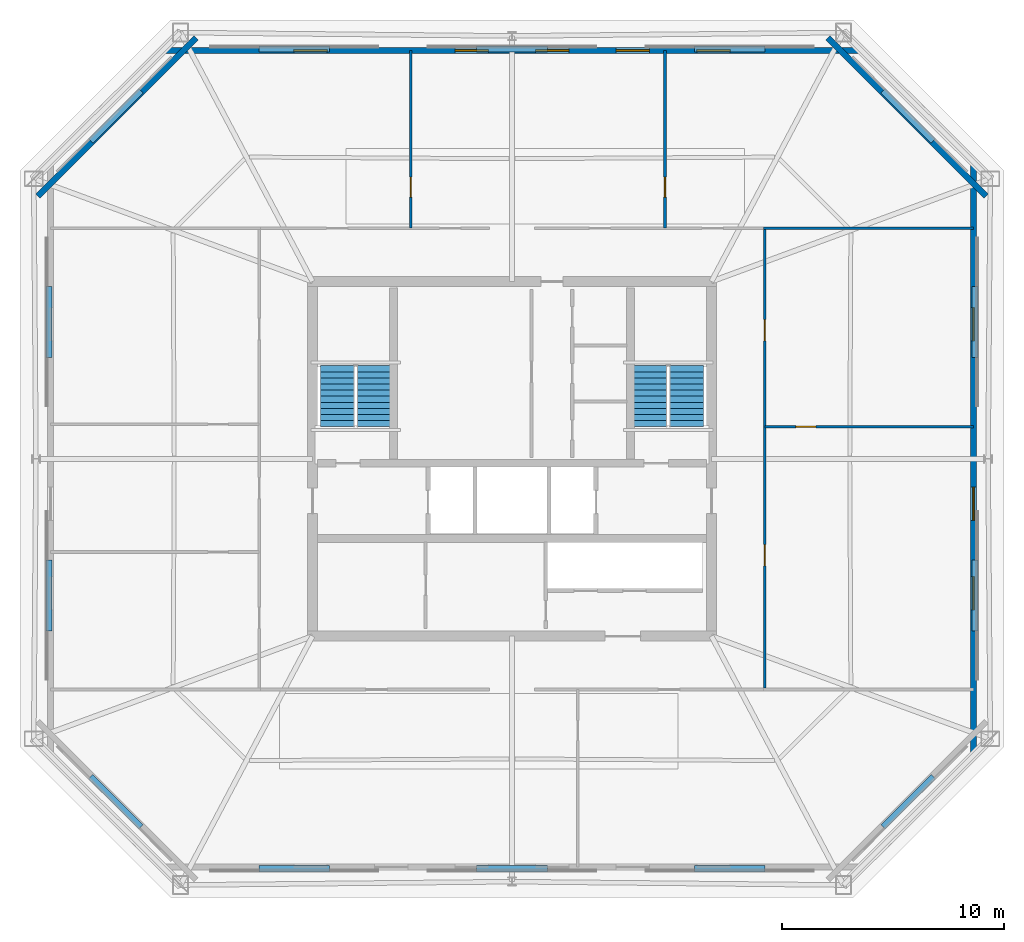
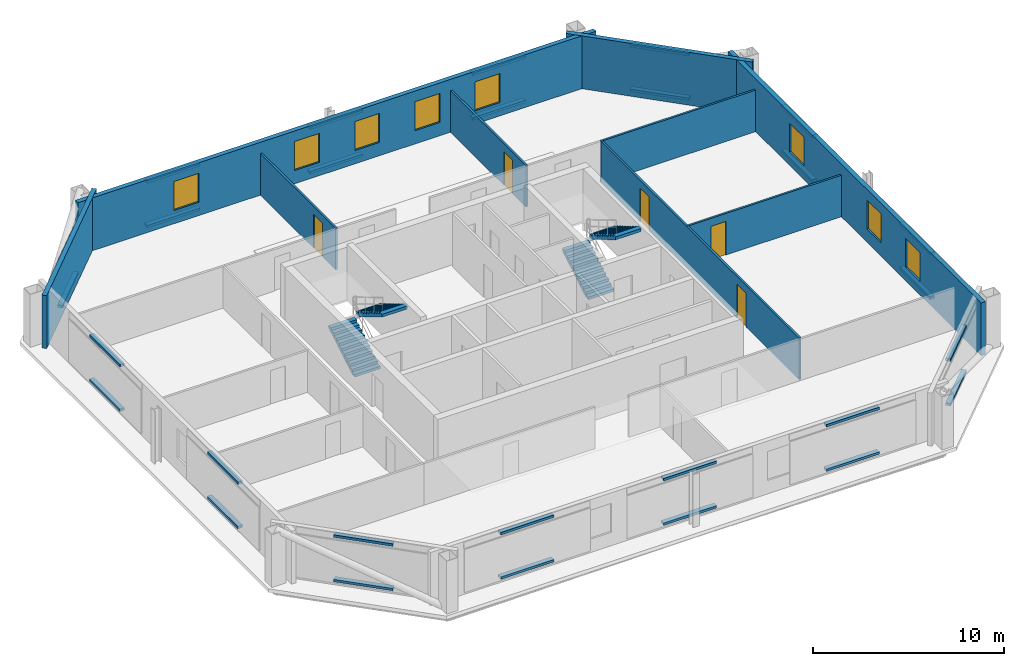
# One storey, part 4 of 6: 28 discrete accessories, 9 walls, 8 windows, 5 doors, 4 stair flights, 13 openings, 2 elements without a shape of their own.
"""IFC4 building model written with IfcOpenShell, lengths in metres."""

from ifc_helpers import new_model, si_unit, direction, frame, frame_2d, origin, origin_2d, place, context, subcontext, project, spatial, polyline, rectangle, outline, extrude, material, layer, layer_set, type_object, element, fill, aggregate, save


model = new_model("IFC4")

# Units and contexts
model_context = context("Model", 3, precision=1e-05, world=origin(), true_north=direction((0.0, 1.0)))
body_context = subcontext(model_context, "Body", "Model", "MODEL_VIEW")
ifc_project = project(units=[si_unit("LENGTHUNIT", "METRE"), si_unit("AREAUNIT", "SQUARE_METRE"), si_unit("VOLUMEUNIT", "CUBIC_METRE"), si_unit("PLANEANGLEUNIT", "RADIAN"), si_unit("MASSUNIT", "GRAM", prefix="KILO")], contexts=[model_context])

# Site, building, storey
site_placement = place(None, origin())
site = spatial("IfcSite", under=ifc_project, at=site_placement, CompositionType="ELEMENT")
building_placement = place(site_placement, origin())
building = spatial("IfcBuilding", under=site, at=building_placement, Name="Caelvoria Tower", CompositionType="ELEMENT")
storey_placement = place(building_placement, frame((0.0, 0.0, 202.199951171875)))
storey = spatial("IfcBuildingStorey", under=building, at=storey_placement, Name="L53", CompositionType="ELEMENT", Elevation=202.199951171875)

# Wall, opening, door
ifc_material_1 = material(Name="Acoustic Gypsum Board on Light-Gauge Stud", Category="gypsum")
ifc_layer_1 = layer(ifc_material_1, 0.1201171875, Name="Acoustic Gypsum Board on Light-Gauge Stud")
ifc_layer_set_1 = layer_set([ifc_layer_1], Name="Tenant Suite Acoustic Partition Wall 120 - Acoustic Gypsum Board on Light-Gauge Stud")
wall_type_1 = type_object("IfcWallType", Name="Tenant Suite Acoustic Partition Wall 120", PredefinedType="PARTITIONING", material=ifc_layer_set_1)
wall_1_placement = place(storey_placement, frame((41.427734375, 42.409912109375, 0.0), z_axis=(0.0, 0.0, 1.0), x_axis=(0.0, 1.0, 0.0)))
wall_1 = element("IfcWall", 1, at=wall_1_placement, inside=storey, type_object=wall_type_1, Name="Interior Partition IW-L53-ND-00-0", PredefinedType="PARTITIONING", context=body_context, shape_type="SweptSolid", body=[
    extrude(rectangle(XDim=8.010009765625, YDim=0.1201171875, at=frame_2d((4.0048828125, 0.0))), origin(), (0.0, 0.0, 1.0), 2.655029296875),
])
opening_1_placement = place(wall_1_placement, frame((1.39990234375, 0.0, 0.0)))
opening_1 = element("IfcOpeningElement", 2, at=opening_1_placement, cuts=wall_1, Name="Opening ID-06", PredefinedType="OPENING", context=body_context, shape_type="SweptSolid", body=[
    extrude(rectangle(XDim=0.89990234375, YDim=2.14990234375, at=frame_2d((0.449951171875, 1.074951171875))), frame((0.0, 0.070068359375, 0.0), z_axis=(0.0, -1.0, 0.0), x_axis=(1.0, 0.0, 0.0)), (0.0, 0.0, 1.0), 0.14013671875),
])
ifc_material_2 = material(Name="Engineered Andean Oak Veneer Door", Category="wood")
door_type_1 = type_object("IfcDoorType", Name="Interior Timber Door 900x2150", OperationType="NOTDEFINED", PredefinedType="DOOR", material=ifc_material_2)
door_1_placement = place(opening_1_placement, origin())
door_1 = element("IfcDoor", 3, at=door_1_placement, inside=storey, type_object=door_type_1, Name="Interior Door DR-L53-NM-00-0", OperationType="SINGLE_SWING_RIGHT", OverallHeight=2.14990234375, OverallWidth=0.89990234375, PredefinedType="DOOR", context=body_context, shape_type="SweptSolid", body=[
    extrude(rectangle(XDim=0.89990234375, YDim=2.14990234375, at=frame_2d((0.449951171875, 1.074951171875))), frame((0.0, 0.02490234375, 0.0), z_axis=(0.0, -1.0, 0.0), x_axis=(1.0, 0.0, 0.0)), (0.0, 0.0, 1.0), 0.050048828125),
])
fill(opening_1, door_1)

wall_2_placement = place(storey_placement, frame((52.9033203125, 42.409912109375, 0.0), z_axis=(0.0, 0.0, 1.0), x_axis=(0.0, 1.0, 0.0)))
wall_2 = element("IfcWall", 4, at=wall_2_placement, inside=storey, type_object=wall_type_1, Name="Interior Partition IW-L53-ND-02-0", PredefinedType="PARTITIONING", context=body_context, shape_type="SweptSolid", body=[
    extrude(rectangle(XDim=8.010009765625, YDim=0.1201171875, at=frame_2d((4.0048828125, 0.0))), origin(), (0.0, 0.0, 1.0), 2.655029296875),
])
opening_2_placement = place(wall_2_placement, frame((1.39990234375, 0.0, 0.0)))
opening_2 = element("IfcOpeningElement", 5, at=opening_2_placement, cuts=wall_2, Name="Opening ID-06", PredefinedType="OPENING", context=body_context, shape_type="SweptSolid", body=[
    extrude(rectangle(XDim=0.89990234375, YDim=2.14990234375, at=frame_2d((0.449951171875, 1.074951171875))), frame((0.0, 0.070068359375, 0.0), z_axis=(0.0, -1.0, 0.0), x_axis=(1.0, 0.0, 0.0)), (0.0, 0.0, 1.0), 0.14013671875),
])
door_2_placement = place(opening_2_placement, origin())
door_2 = element("IfcDoor", 6, at=door_2_placement, inside=storey, type_object=door_type_1, Name="Interior Door DR-L53-NM-02-0", OperationType="SINGLE_SWING_RIGHT", OverallHeight=2.14990234375, OverallWidth=0.89990234375, PredefinedType="DOOR", context=body_context, shape_type="SweptSolid", body=[
    extrude(rectangle(XDim=0.89990234375, YDim=2.14990234375, at=frame_2d((0.449951171875, 1.074951171875))), frame((0.0, 0.02490234375, 0.0), z_axis=(0.0, -1.0, 0.0), x_axis=(1.0, 0.0, 0.0)), (0.0, 0.0, 1.0), 0.050048828125),
])
fill(opening_2, door_2)

wall_3_placement = place(storey_placement, frame((57.409912109375, 33.44921875, 0.0), z_axis=(0.0, 0.0, 1.0), x_axis=(1.0, 0.0, 0.0)))
wall_3 = element("IfcWall", 7, at=wall_3_placement, inside=storey, type_object=wall_type_1, Name="Interior Partition IW-L53-ED-00-0", PredefinedType="PARTITIONING", context=body_context, shape_type="SweptSolid", body=[
    extrude(rectangle(XDim=9.41015625, YDim=0.1201171875, at=frame_2d((4.705078125, 0.0))), origin(), (0.0, 0.0, 1.0), 2.655029296875),
])
opening_3_placement = place(wall_3_placement, frame((1.39990234375, 0.0, 0.0)))
opening_3 = element("IfcOpeningElement", 8, at=opening_3_placement, cuts=wall_3, Name="Opening ID-06", PredefinedType="OPENING", context=body_context, shape_type="SweptSolid", body=[
    extrude(rectangle(XDim=0.89990234375, YDim=2.14990234375, at=frame_2d((0.449951171875, 1.074951171875))), frame((0.0, 0.070068359375, 0.0), z_axis=(0.0, -1.0, 0.0), x_axis=(1.0, 0.0, 0.0)), (0.0, 0.0, 1.0), 0.14013671875),
])
door_3_placement = place(opening_3_placement, origin())
door_3 = element("IfcDoor", 9, at=door_3_placement, inside=storey, type_object=door_type_1, Name="Interior Door DR-L53-EM-00-0", OperationType="SINGLE_SWING_RIGHT", OverallHeight=2.14990234375, OverallWidth=0.89990234375, PredefinedType="DOOR", context=body_context, shape_type="SweptSolid", body=[
    extrude(rectangle(XDim=0.89990234375, YDim=2.14990234375, at=frame_2d((0.449951171875, 1.074951171875))), frame((0.0, 0.02490234375, 0.0), z_axis=(0.0, -1.0, 0.0), x_axis=(1.0, 0.0, 0.0)), (0.0, 0.0, 1.0), 0.050048828125),
])
fill(opening_3, door_3)

# Wall, openings, doors
wall_4_placement = place(storey_placement, frame((57.409912109375, 21.64990234375, 0.0), z_axis=(0.0, 0.0, 1.0), x_axis=(0.0, 1.0, 0.0)))
wall_4 = element("IfcWall", 10, at=wall_4_placement, inside=storey, type_object=wall_type_1, Name="Interior Partition IW-L53-ECW-0", PredefinedType="PARTITIONING", context=body_context, shape_type="SweptSolid", body=[
    extrude(rectangle(XDim=20.7001953125, YDim=0.1201171875, at=frame_2d((10.35009765625, 0.0))), origin(), (0.0, 0.0, 1.0), 2.655029296875),
])
opening_4_placement = place(wall_4_placement, frame((5.524658203125, 0.0, 0.0)))
opening_4 = element("IfcOpeningElement", 11, at=opening_4_placement, cuts=wall_4, Name="Opening ID-05", PredefinedType="OPENING", context=body_context, shape_type="SweptSolid", body=[
    extrude(rectangle(XDim=0.949951171875, YDim=2.14990234375, at=frame_2d((0.47509765625, 1.074951171875))), frame((0.0, 0.070068359375, 0.0), z_axis=(0.0, -1.0, 0.0), x_axis=(1.0, 0.0, 0.0)), (0.0, 0.0, 1.0), 0.14013671875),
])
opening_5_placement = place(wall_4_placement, frame((15.6748046875, 0.0, 0.0)))
opening_5 = element("IfcOpeningElement", 12, at=opening_5_placement, cuts=wall_4, Name="Opening ID-05", PredefinedType="OPENING", context=body_context, shape_type="SweptSolid", body=[
    extrude(rectangle(XDim=0.949951171875, YDim=2.14990234375, at=frame_2d((0.47509765625, 1.074951171875))), frame((0.0, 0.070068359375, 0.0), z_axis=(0.0, -1.0, 0.0), x_axis=(1.0, 0.0, 0.0)), (0.0, 0.0, 1.0), 0.14013671875),
])
door_type_2 = type_object("IfcDoorType", Name="Interior Timber Door 950x2150", OperationType="NOTDEFINED", PredefinedType="DOOR", material=ifc_material_2)
door_4_placement = place(opening_4_placement, origin())
door_4 = element("IfcDoor", 13, at=door_4_placement, inside=storey, type_object=door_type_2, Name="Interior Door DR-L53-EC-00-0", OperationType="SINGLE_SWING_RIGHT", OverallHeight=2.14990234375, OverallWidth=0.949951171875, PredefinedType="DOOR", context=body_context, shape_type="SweptSolid", body=[
    extrude(rectangle(XDim=0.949951171875, YDim=2.14990234375, at=frame_2d((0.47509765625, 1.074951171875))), frame((0.0, 0.02490234375, 0.0), z_axis=(0.0, -1.0, 0.0), x_axis=(1.0, 0.0, 0.0)), (0.0, 0.0, 1.0), 0.050048828125),
])
fill(opening_4, door_4)
door_5_placement = place(opening_5_placement, origin())
door_5 = element("IfcDoor", 14, at=door_5_placement, inside=storey, type_object=door_type_2, Name="Interior Door DR-L53-EC-01-0", OperationType="SINGLE_SWING_LEFT", OverallHeight=2.14990234375, OverallWidth=0.949951171875, PredefinedType="DOOR", context=body_context, shape_type="SweptSolid", body=[
    extrude(rectangle(XDim=0.949951171875, YDim=2.14990234375, at=frame_2d((0.47509765625, 1.074951171875))), frame((0.0, 0.02490234375, 0.0), z_axis=(0.0, -1.0, 0.0), x_axis=(1.0, 0.0, 0.0)), (0.0, 0.0, 1.0), 0.050048828125),
])
fill(opening_5, door_5)

# Wall
wall_5_placement = place(storey_placement, frame((57.35009765625, 42.409912109375, 0.0), z_axis=(0.0, 0.0, 1.0), x_axis=(1.0, 0.0, 0.0)))
element("IfcWall", 15, at=wall_5_placement, inside=storey, type_object=wall_type_1, Name="Interior Partition IW-L53-BNE-0", PredefinedType="PARTITIONING", context=body_context, shape_type="SweptSolid", body=[
    extrude(rectangle(XDim=9.469970703125, YDim=0.1201171875, at=frame_2d((4.73486328125, 0.0))), origin(), (0.0, 0.0, 1.0), 2.655029296875),
])

# Wall, openings, windows
ifc_material_3 = material(Name="Precast Concrete C40/50 with Bronze Cladding", Category="concrete")
ifc_layer_2 = layer(ifc_material_3, 0.264892578125, Name="Precast Concrete C40/50 with Bronze Cladding")
ifc_layer_set_2 = layer_set([ifc_layer_2], Name="Upper Taper Precast Concrete C40/50 Bronze Facade Wall 265 - Precast Concrete C40/50 with Bronze Cladding")
wall_type_2 = type_object("IfcWallType", Name="Upper Taper Precast Concrete C40/50 Bronze Facade Wall 265", PredefinedType="STANDARD", material=ifc_layer_set_2)
wall_6_placement = place(storey_placement, frame((66.820068359375, 18.760009765625, 0.0), z_axis=(0.0, 0.0, 1.0), x_axis=(0.0, 1.0, 0.0)))
wall_6 = element("IfcWall", 16, at=wall_6_placement, inside=storey, type_object=wall_type_2, Name="Exterior Facade Wall L53-E2", PredefinedType="STANDARD", context=body_context, shape_type="SweptSolid", body=[
    extrude(rectangle(XDim=26.47998046875, YDim=0.264892578125, at=frame_2d((13.239990234375, 0.0))), origin(), (0.0, 0.0, 1.0), 3.375),
])
opening_6_placement = place(wall_6_placement, frame((6.419921875, 0.0, 0.85009765625)))
opening_6 = element("IfcOpeningElement", 17, at=opening_6_placement, cuts=wall_6, Name="Opening WN-03", PredefinedType="OPENING", context=body_context, shape_type="SweptSolid", body=[
    extrude(rectangle(XDim=1.5, YDim=1.85009765625, at=frame_2d((0.75, 0.925048828125))), frame((0.0, 0.142333984375, 0.0), z_axis=(0.0, -1.0, 0.0), x_axis=(1.0, 0.0, 0.0)), (0.0, 0.0, 1.0), 0.284912109375),
])
opening_7_placement = place(wall_6_placement, frame((10.466796875, 0.0, 0.85009765625)))
opening_7 = element("IfcOpeningElement", 18, at=opening_7_placement, cuts=wall_6, Name="Opening WN-03", PredefinedType="OPENING", context=body_context, shape_type="SweptSolid", body=[
    extrude(rectangle(XDim=1.5, YDim=1.85009765625, at=frame_2d((0.75, 0.925048828125))), frame((0.0, 0.142333984375, 0.0), z_axis=(0.0, -1.0, 0.0), x_axis=(1.0, 0.0, 0.0)), (0.0, 0.0, 1.0), 0.284912109375),
])
opening_8_placement = place(wall_6_placement, frame((18.56005859375, 0.0, 0.85009765625)))
opening_8 = element("IfcOpeningElement", 19, at=opening_8_placement, cuts=wall_6, Name="Opening WN-03", PredefinedType="OPENING", context=body_context, shape_type="SweptSolid", body=[
    extrude(rectangle(XDim=1.5, YDim=1.85009765625, at=frame_2d((0.75, 0.925048828125))), frame((0.0, 0.142333984375, 0.0), z_axis=(0.0, -1.0, 0.0), x_axis=(1.0, 0.0, 0.0)), (0.0, 0.0, 1.0), 0.284912109375),
])
ifc_material_4 = material(Name="Low-E Tinted Glass in Bronze Aluminium Frame", Category="aluminium")
window_type = type_object("IfcWindowType", Name="Upper Taper Vision Window 1500x1850", PartitioningType="SINGLE_PANEL", PredefinedType="WINDOW", material=ifc_material_4)
window_1_placement = place(opening_6_placement, origin())
window_1 = element("IfcWindow", 20, at=window_1_placement, inside=storey, type_object=window_type, Name="Facade Window L53-E2-01", OverallHeight=1.85009765625, OverallWidth=1.5, PartitioningType="SINGLE_PANEL", PredefinedType="WINDOW", context=body_context, shape_type="SweptSolid", body=[
    extrude(rectangle(XDim=1.5, YDim=1.85009765625, at=frame_2d((0.75, 0.925048828125))), frame((0.0, 0.030029296875, 0.0), z_axis=(0.0, -1.0, 0.0), x_axis=(1.0, 0.0, 0.0)), (0.0, 0.0, 1.0), 0.06005859375),
])
fill(opening_6, window_1)
window_2_placement = place(opening_7_placement, origin())
window_2 = element("IfcWindow", 21, at=window_2_placement, inside=storey, type_object=window_type, Name="Facade Window L53-E2-02", OverallHeight=1.85009765625, OverallWidth=1.5, PartitioningType="SINGLE_PANEL", PredefinedType="WINDOW", context=body_context, shape_type="SweptSolid", body=[
    extrude(rectangle(XDim=1.5, YDim=1.85009765625, at=frame_2d((0.75, 0.925048828125))), frame((0.0, 0.030029296875, 0.0), z_axis=(0.0, -1.0, 0.0), x_axis=(1.0, 0.0, 0.0)), (0.0, 0.0, 1.0), 0.06005859375),
])
fill(opening_7, window_2)
window_3_placement = place(opening_8_placement, origin())
window_3 = element("IfcWindow", 22, at=window_3_placement, inside=storey, type_object=window_type, Name="Facade Window L53-E2-04", OverallHeight=1.85009765625, OverallWidth=1.5, PartitioningType="SINGLE_PANEL", PredefinedType="WINDOW", context=body_context, shape_type="SweptSolid", body=[
    extrude(rectangle(XDim=1.5, YDim=1.85009765625, at=frame_2d((0.75, 0.925048828125))), frame((0.0, 0.030029296875, 0.0), z_axis=(0.0, -1.0, 0.0), x_axis=(1.0, 0.0, 0.0)), (0.0, 0.0, 1.0), 0.06005859375),
])
fill(opening_8, window_3)

# Wall
wall_7_placement = place(storey_placement, frame((67.393798828125, 43.8544921875, 0.0), z_axis=(0.0, 0.0, 1.0), x_axis=(-0.707106781187, 0.707106781187, 0.0)))
element("IfcWall", 23, at=wall_7_placement, inside=storey, type_object=wall_type_2, Name="Exterior Facade Wall L53-E3", PredefinedType="STANDARD", context=body_context, shape_type="SweptSolid", body=[
    extrude(rectangle(XDim=10.0966796875, YDim=0.264892578125, at=frame_2d((5.04833984375, 0.0))), origin(), (0.0, 0.0, 1.0), 3.375),
])

# Wall, openings, windows
wall_8_placement = place(storey_placement, frame((61.639892578125, 50.419921875, 0.0), z_axis=(0.0, 0.0, 1.0), x_axis=(-1.0, 0.0, 0.0)))
wall_8 = element("IfcWall", 24, at=wall_8_placement, inside=storey, type_object=wall_type_2, Name="Exterior Facade Wall L53-E4", PredefinedType="STANDARD", context=body_context, shape_type="SweptSolid", body=[
    extrude(rectangle(XDim=31.27978515625, YDim=0.264892578125, at=frame_2d((15.639892578125, 0.0))), origin(), (0.0, 0.0, 1.0), 3.375),
])
opening_9_placement = place(wall_8_placement, frame((5.802490234375, 0.0, 0.85009765625)))
opening_9 = element("IfcOpeningElement", 25, at=opening_9_placement, cuts=wall_8, Name="Opening WN-03", PredefinedType="OPENING", context=body_context, shape_type="SweptSolid", body=[
    extrude(rectangle(XDim=1.5, YDim=1.85009765625, at=frame_2d((0.75, 0.925048828125))), frame((0.0, 0.142333984375, 0.0), z_axis=(0.0, -1.0, 0.0), x_axis=(1.0, 0.0, 0.0)), (0.0, 0.0, 1.0), 0.284912109375),
])
opening_10_placement = place(wall_8_placement, frame((9.4375, 0.0, 0.85009765625)))
opening_10 = element("IfcOpeningElement", 26, at=opening_10_placement, cuts=wall_8, Name="Opening WN-03", PredefinedType="OPENING", context=body_context, shape_type="SweptSolid", body=[
    extrude(rectangle(XDim=1.5, YDim=1.85009765625, at=frame_2d((0.75, 0.925048828125))), frame((0.0, 0.142333984375, 0.0), z_axis=(0.0, -1.0, 0.0), x_axis=(1.0, 0.0, 0.0)), (0.0, 0.0, 1.0), 0.284912109375),
])
opening_11_placement = place(wall_8_placement, frame((13.072509765625, 0.0, 0.85009765625)))
opening_11 = element("IfcOpeningElement", 27, at=opening_11_placement, cuts=wall_8, Name="Opening WN-03", PredefinedType="OPENING", context=body_context, shape_type="SweptSolid", body=[
    extrude(rectangle(XDim=1.5, YDim=1.85009765625, at=frame_2d((0.75, 0.925048828125))), frame((0.0, 0.142333984375, 0.0), z_axis=(0.0, -1.0, 0.0), x_axis=(1.0, 0.0, 0.0)), (0.0, 0.0, 1.0), 0.284912109375),
])
opening_12_placement = place(wall_8_placement, frame((16.70751953125, 0.0, 0.85009765625)))
opening_12 = element("IfcOpeningElement", 28, at=opening_12_placement, cuts=wall_8, Name="Opening WN-03", PredefinedType="OPENING", context=body_context, shape_type="SweptSolid", body=[
    extrude(rectangle(XDim=1.5, YDim=1.85009765625, at=frame_2d((0.75, 0.925048828125))), frame((0.0, 0.142333984375, 0.0), z_axis=(0.0, -1.0, 0.0), x_axis=(1.0, 0.0, 0.0)), (0.0, 0.0, 1.0), 0.284912109375),
])
opening_13_placement = place(wall_8_placement, frame((23.9775390625, 0.0, 0.85009765625)))
opening_13 = element("IfcOpeningElement", 29, at=opening_13_placement, cuts=wall_8, Name="Opening WN-03", PredefinedType="OPENING", context=body_context, shape_type="SweptSolid", body=[
    extrude(rectangle(XDim=1.5, YDim=1.85009765625, at=frame_2d((0.75, 0.925048828125))), frame((0.0, 0.142333984375, 0.0), z_axis=(0.0, -1.0, 0.0), x_axis=(1.0, 0.0, 0.0)), (0.0, 0.0, 1.0), 0.284912109375),
])
window_4_placement = place(opening_9_placement, origin())
window_4 = element("IfcWindow", 30, at=window_4_placement, inside=storey, type_object=window_type, Name="Facade Window L53-E4-01", OverallHeight=1.85009765625, OverallWidth=1.5, PartitioningType="SINGLE_PANEL", PredefinedType="WINDOW", context=body_context, shape_type="SweptSolid", body=[
    extrude(rectangle(XDim=1.5, YDim=1.85009765625, at=frame_2d((0.75, 0.925048828125))), frame((0.0, 0.030029296875, 0.0), z_axis=(0.0, -1.0, 0.0), x_axis=(1.0, 0.0, 0.0)), (0.0, 0.0, 1.0), 0.06005859375),
])
fill(opening_9, window_4)
window_5_placement = place(opening_10_placement, origin())
window_5 = element("IfcWindow", 31, at=window_5_placement, inside=storey, type_object=window_type, Name="Facade Window L53-E4-02", OverallHeight=1.85009765625, OverallWidth=1.5, PartitioningType="SINGLE_PANEL", PredefinedType="WINDOW", context=body_context, shape_type="SweptSolid", body=[
    extrude(rectangle(XDim=1.5, YDim=1.85009765625, at=frame_2d((0.75, 0.925048828125))), frame((0.0, 0.030029296875, 0.0), z_axis=(0.0, -1.0, 0.0), x_axis=(1.0, 0.0, 0.0)), (0.0, 0.0, 1.0), 0.06005859375),
])
fill(opening_10, window_5)
window_6_placement = place(opening_11_placement, origin())
window_6 = element("IfcWindow", 32, at=window_6_placement, inside=storey, type_object=window_type, Name="Facade Window L53-E4-03", OverallHeight=1.85009765625, OverallWidth=1.5, PartitioningType="SINGLE_PANEL", PredefinedType="WINDOW", context=body_context, shape_type="SweptSolid", body=[
    extrude(rectangle(XDim=1.5, YDim=1.85009765625, at=frame_2d((0.75, 0.925048828125))), frame((0.0, 0.030029296875, 0.0), z_axis=(0.0, -1.0, 0.0), x_axis=(1.0, 0.0, 0.0)), (0.0, 0.0, 1.0), 0.06005859375),
])
fill(opening_11, window_6)
window_7_placement = place(opening_12_placement, origin())
window_7 = element("IfcWindow", 33, at=window_7_placement, inside=storey, type_object=window_type, Name="Facade Window L53-E4-04", OverallHeight=1.85009765625, OverallWidth=1.5, PartitioningType="SINGLE_PANEL", PredefinedType="WINDOW", context=body_context, shape_type="SweptSolid", body=[
    extrude(rectangle(XDim=1.5, YDim=1.85009765625, at=frame_2d((0.75, 0.925048828125))), frame((0.0, 0.030029296875, 0.0), z_axis=(0.0, -1.0, 0.0), x_axis=(1.0, 0.0, 0.0)), (0.0, 0.0, 1.0), 0.06005859375),
])
fill(opening_12, window_7)
window_8_placement = place(opening_13_placement, origin())
window_8 = element("IfcWindow", 34, at=window_8_placement, inside=storey, type_object=window_type, Name="Facade Window L53-E4-06", OverallHeight=1.85009765625, OverallWidth=1.5, PartitioningType="SINGLE_PANEL", PredefinedType="WINDOW", context=body_context, shape_type="SweptSolid", body=[
    extrude(rectangle(XDim=1.5, YDim=1.85009765625, at=frame_2d((0.75, 0.925048828125))), frame((0.0, 0.030029296875, 0.0), z_axis=(0.0, -1.0, 0.0), x_axis=(1.0, 0.0, 0.0)), (0.0, 0.0, 1.0), 0.06005859375),
])
fill(opening_13, window_8)

# Wall
wall_9_placement = place(storey_placement, frame((31.74560546875, 50.993896484375, 0.0), z_axis=(0.0, 0.0, 1.0), x_axis=(-0.707106781187, -0.707106781187, 0.0)))
element("IfcWall", 35, at=wall_9_placement, inside=storey, type_object=wall_type_2, Name="Exterior Facade Wall L53-E5", PredefinedType="STANDARD", context=body_context, shape_type="SweptSolid", body=[
    extrude(rectangle(XDim=10.0966796875, YDim=0.264892578125, at=frame_2d((5.04833984375, 0.0))), origin(), (0.0, 0.0, 1.0), 3.375),
])

# Stair, stair flights
ifc_material_5 = material(Name="Concrete C40/50", Category="concrete")
stair_type = type_object("IfcStairType", Name="Core Smokeproof Dogleg Stair Concrete C40/50", PredefinedType="HALF_TURN_STAIR", material=ifc_material_5)
stair_1_placement = place(storey_placement, origin())
stair_1 = element("IfcStair", 36, at=stair_1_placement, inside=storey, type_object=stair_type, Name="ST-01 Smokeproof Exit Stair L53", PredefinedType="HALF_TURN_STAIR")
ifc_material_6 = material(Name="Precast Concrete C40/50", Category="concrete")
stair_flight_type = type_object("IfcStairFlightType", Name="Precast Concrete C40/50 Stair Flight 1480", PredefinedType="STRAIGHT", material=ifc_material_6)
stair_flight_1_placement = place(storey_placement, frame((38.1298828125, 33.449951171875, 0.0), z_axis=(0.0, 0.0, 1.0), x_axis=(0.0, 1.0, 0.0)))
stair_flight_1 = element("IfcStairFlight", 37, at=stair_flight_1_placement, type_object=stair_flight_type, Name="ST-01 flight 1", NumberOfRisers=11, NumberOfTreads=10, PredefinedType="STRAIGHT", RiserHeight=0.1636, TreadLength=0.275, context=body_context, shape_type="SweptSolid", body=[
    extrude(outline(polyline([(0.0, 0.0), (0.0, 0.16357421875), (0.27490234375, 0.16357421875), (0.27490234375, 0.3271484375), (0.550048828125, 0.3271484375), (0.550048828125, 0.49072265625), (0.824951171875, 0.49072265625), (0.824951171875, 0.654296875), (1.10009765625, 0.654296875), (1.10009765625, 0.818115234375), (1.375, 0.818115234375), (1.375, 0.981689453125), (1.64990234375, 0.981689453125), (1.64990234375, 1.145263671875), (1.925048828125, 1.145263671875), (1.925048828125, 1.308837890625), (2.199951171875, 1.308837890625), (2.199951171875, 1.472412109375), (2.47509765625, 1.472412109375), (2.47509765625, 1.635986328125), (2.75, 1.635986328125), (2.75, 1.799560546875), (2.75, 1.449951171875), (0.312744140625, 0.0), (0.0, 0.0)])), frame((0.0, 0.77001953125, 0.0), z_axis=(0.0, -1.0, 0.0), x_axis=(1.0, 0.0, 0.0)), (0.0, 0.0, 1.0), 1.5400390625),
])
stair_flight_2_placement = place(storey_placement, frame((39.77001953125, 36.199951171875, 1.800048828125), z_axis=(0.0, 0.0, 1.0), x_axis=(0.0, -1.0, 0.0)))
stair_flight_2 = element("IfcStairFlight", 38, at=stair_flight_2_placement, type_object=stair_flight_type, Name="ST-01 flight 2", NumberOfRisers=11, NumberOfTreads=10, PredefinedType="STRAIGHT", RiserHeight=0.1636, TreadLength=0.275, context=body_context, shape_type="SweptSolid", body=[
    extrude(outline(polyline([(0.0, 0.0), (0.0, 0.16357421875), (0.27490234375, 0.16357421875), (0.27490234375, 0.3271484375), (0.550048828125, 0.3271484375), (0.550048828125, 0.49072265625), (0.824951171875, 0.49072265625), (0.824951171875, 0.654296875), (1.10009765625, 0.654296875), (1.10009765625, 0.818115234375), (1.375, 0.818115234375), (1.375, 0.981689453125), (1.64990234375, 0.981689453125), (1.64990234375, 1.145263671875), (1.925048828125, 1.145263671875), (1.925048828125, 1.308837890625), (2.199951171875, 1.308837890625), (2.199951171875, 1.472412109375), (2.47509765625, 1.472412109375), (2.47509765625, 1.635986328125), (2.75, 1.635986328125), (2.75, 1.799560546875), (2.75, 1.449951171875), (0.312744140625, 0.0), (0.0, 0.0)])), frame((0.0, 0.77001953125, 0.0), z_axis=(0.0, -1.0, 0.0), x_axis=(1.0, 0.0, 0.0)), (0.0, 0.0, 1.0), 1.5400390625),
])
aggregate(stair_1, [stair_flight_1, stair_flight_2])

stair_2_placement = place(storey_placement, origin())
stair_2 = element("IfcStair", 39, at=stair_2_placement, inside=storey, type_object=stair_type, Name="ST-02 Smokeproof Exit Stair L53", PredefinedType="HALF_TURN_STAIR")
stair_flight_3_placement = place(storey_placement, frame((52.22998046875, 33.449951171875, 0.0), z_axis=(0.0, 0.0, 1.0), x_axis=(0.0, 1.0, 0.0)))
stair_flight_3 = element("IfcStairFlight", 40, at=stair_flight_3_placement, type_object=stair_flight_type, Name="ST-02 flight 1", NumberOfRisers=11, NumberOfTreads=10, PredefinedType="STRAIGHT", RiserHeight=0.1636, TreadLength=0.275, context=body_context, shape_type="SweptSolid", body=[
    extrude(outline(polyline([(0.0, 0.0), (0.0, 0.16357421875), (0.27490234375, 0.16357421875), (0.27490234375, 0.3271484375), (0.550048828125, 0.3271484375), (0.550048828125, 0.49072265625), (0.824951171875, 0.49072265625), (0.824951171875, 0.654296875), (1.10009765625, 0.654296875), (1.10009765625, 0.818115234375), (1.375, 0.818115234375), (1.375, 0.981689453125), (1.64990234375, 0.981689453125), (1.64990234375, 1.145263671875), (1.925048828125, 1.145263671875), (1.925048828125, 1.308837890625), (2.199951171875, 1.308837890625), (2.199951171875, 1.472412109375), (2.47509765625, 1.472412109375), (2.47509765625, 1.635986328125), (2.75, 1.635986328125), (2.75, 1.799560546875), (2.75, 1.449951171875), (0.312744140625, 0.0), (0.0, 0.0)])), frame((0.0, 0.77001953125, 0.0), z_axis=(0.0, -1.0, 0.0), x_axis=(1.0, 0.0, 0.0)), (0.0, 0.0, 1.0), 1.5400390625),
])
stair_flight_4_placement = place(storey_placement, frame((53.8701171875, 36.199951171875, 1.800048828125), z_axis=(0.0, 0.0, 1.0), x_axis=(0.0, -1.0, 0.0)))
stair_flight_4 = element("IfcStairFlight", 41, at=stair_flight_4_placement, type_object=stair_flight_type, Name="ST-02 flight 2", NumberOfRisers=11, NumberOfTreads=10, PredefinedType="STRAIGHT", RiserHeight=0.1636, TreadLength=0.275, context=body_context, shape_type="SweptSolid", body=[
    extrude(outline(polyline([(0.0, 0.0), (0.0, 0.16357421875), (0.27490234375, 0.16357421875), (0.27490234375, 0.3271484375), (0.550048828125, 0.3271484375), (0.550048828125, 0.49072265625), (0.824951171875, 0.49072265625), (0.824951171875, 0.654296875), (1.10009765625, 0.654296875), (1.10009765625, 0.818115234375), (1.375, 0.818115234375), (1.375, 0.981689453125), (1.64990234375, 0.981689453125), (1.64990234375, 1.145263671875), (1.925048828125, 1.145263671875), (1.925048828125, 1.308837890625), (2.199951171875, 1.308837890625), (2.199951171875, 1.472412109375), (2.47509765625, 1.472412109375), (2.47509765625, 1.635986328125), (2.75, 1.635986328125), (2.75, 1.799560546875), (2.75, 1.449951171875), (0.312744140625, 0.0), (0.0, 0.0)])), frame((0.0, 0.77001953125, 0.0), z_axis=(0.0, -1.0, 0.0), x_axis=(1.0, 0.0, 0.0)), (0.0, 0.0, 1.0), 1.5400390625),
])
aggregate(stair_2, [stair_flight_3, stair_flight_4])

# Discrete accessories
ifc_material_7 = material(Name="Anodised Bronze Stainless Bracket", Category="bronze")
discrete_accessory_type = type_object("IfcDiscreteAccessoryType", Name="Solar Screen Outrigger Support Bracket", PredefinedType="BRACKET", material=ifc_material_7)
for number, where, z_axis, x_axis, name in (
    (42, (36.17333984375, 13.507080078125, 0.240234375), (0.0, 0.0, 1.0), (1.0, 0.0, 0.0), "Solar Screen Bracket L53-E0-00"),
    (43, (36.17333984375, 13.507080078125, 3.0751953125), (0.0, 0.0, 1.0), (1.0, 0.0, 0.0), "Upper Screen Band Bracket L53-E0-00"),
    (44, (46.0, 13.507080078125, 0.240234375), (0.0, 0.0, 1.0), (1.0, 0.0, 0.0), "Solar Screen Bracket L53-E0-01"),
    (45, (46.0, 13.507080078125, 3.0751953125), (0.0, 0.0, 1.0), (1.0, 0.0, 0.0), "Upper Screen Band Bracket L53-E0-01"),
    (46, (55.82666015625, 13.507080078125, 0.240234375), (0.0, 0.0, 1.0), (1.0, 0.0, 0.0), "Solar Screen Bracket L53-E0-02"),
    (47, (55.82666015625, 13.507080078125, 3.0751953125), (0.0, 0.0, 1.0), (1.0, 0.0, 0.0), "Upper Screen Band Bracket L53-E0-02"),
    (48, (63.875732421875, 16.5244140625, 0.240234375), (0.0, 0.0, 1.0), (0.707106781187, 0.707106781187, 0.0), "Solar Screen Bracket L53-E1-00"),
    (49, (63.875732421875, 16.5244140625, 3.0751953125), (0.0, 0.0, 1.0), (0.707106781187, 0.707106781187, 0.0), "Upper Screen Band Bracket L53-E1-00"),
    (50, (66.892822265625, 25.830078125, 0.240234375), (0.0, 0.0, 1.0), (0.0, 1.0, 0.0), "Solar Screen Bracket L53-E2-00"),
    (51, (66.892822265625, 25.830078125, 3.0751953125), (0.0, 0.0, 1.0), (0.0, 1.0, 0.0), "Upper Screen Band Bracket L53-E2-00"),
    (52, (66.892822265625, 38.169921875, 0.240234375), (0.0, 0.0, 1.0), (0.0, 1.0, 0.0), "Solar Screen Bracket L53-E2-01"),
    (53, (66.892822265625, 38.169921875, 3.0751953125), (0.0, 0.0, 1.0), (0.0, 1.0, 0.0), "Upper Screen Band Bracket L53-E2-01"),
    (54, (63.875732421875, 47.4755859375, 0.240234375), (0.0, 0.0, 1.0), (-0.707106781187, 0.707106781187, 0.0), "Solar Screen Bracket L53-E3-00"),
    (55, (63.875732421875, 47.4755859375, 3.0751953125), (0.0, 0.0, 1.0), (-0.707106781187, 0.707106781187, 0.0), "Upper Screen Band Bracket L53-E3-00"),
    (56, (55.82666015625, 50.492919921875, 0.240234375), (0.0, 0.0, 1.0), (-1.0, 0.0, 0.0), "Solar Screen Bracket L53-E4-00"),
    (57, (55.82666015625, 50.492919921875, 3.0751953125), (0.0, 0.0, 1.0), (-1.0, 0.0, 0.0), "Upper Screen Band Bracket L53-E4-00"),
    (58, (46.0, 50.492919921875, 0.240234375), (0.0, 0.0, 1.0), (-1.0, 0.0, 0.0), "Solar Screen Bracket L53-E4-01"),
    (59, (46.0, 50.492919921875, 3.0751953125), (0.0, 0.0, 1.0), (-1.0, 0.0, 0.0), "Upper Screen Band Bracket L53-E4-01"),
    (60, (36.17333984375, 50.492919921875, 0.240234375), (0.0, 0.0, 1.0), (-1.0, 0.0, 0.0), "Solar Screen Bracket L53-E4-02"),
    (61, (36.17333984375, 50.492919921875, 3.0751953125), (0.0, 0.0, 1.0), (-1.0, 0.0, 0.0), "Upper Screen Band Bracket L53-E4-02"),
    (62, (28.124267578125, 47.4755859375, 0.240234375), (0.0, 0.0, 1.0), (-0.707106781187, -0.707106781187, 0.0), "Solar Screen Bracket L53-E5-00"),
    (63, (28.124267578125, 47.4755859375, 3.0751953125), (0.0, 0.0, 1.0), (-0.707106781187, -0.707106781187, 0.0), "Upper Screen Band Bracket L53-E5-00"),
    (64, (25.107177734375, 38.169921875, 0.240234375), (0.0, 0.0, 1.0), (0.0, -1.0, 0.0), "Solar Screen Bracket L53-E6-00"),
    (65, (25.107177734375, 38.169921875, 3.0751953125), (0.0, 0.0, 1.0), (0.0, -1.0, 0.0), "Upper Screen Band Bracket L53-E6-00"),
    (66, (25.107177734375, 25.830078125, 0.240234375), (0.0, 0.0, 1.0), (0.0, -1.0, 0.0), "Solar Screen Bracket L53-E6-01"),
    (67, (25.107177734375, 25.830078125, 3.0751953125), (0.0, 0.0, 1.0), (0.0, -1.0, 0.0), "Upper Screen Band Bracket L53-E6-01"),
    (68, (28.124267578125, 16.5244140625, 0.240234375), (0.0, 0.0, 1.0), (0.707106781187, -0.707106781187, 0.0), "Solar Screen Bracket L53-E7-00"),
    (69, (28.124267578125, 16.5244140625, 3.0751953125), (0.0, 0.0, 1.0), (0.707106781187, -0.707106781187, 0.0), "Upper Screen Band Bracket L53-E7-00"),
):
    element("IfcDiscreteAccessory", number, at=place(storey_placement, frame(where, z_axis=z_axis, x_axis=x_axis)), inside=storey, type_object=discrete_accessory_type, Name=name, PredefinedType="BRACKET", context=body_context, shape_type="SweptSolid", body=[
        extrude(rectangle(XDim=3.199951171875, YDim=0.280029296875, at=origin_2d()), origin(), (0.0, 0.0, 1.0), 0.159912109375),
    ])

save(model, "model.ifc")
